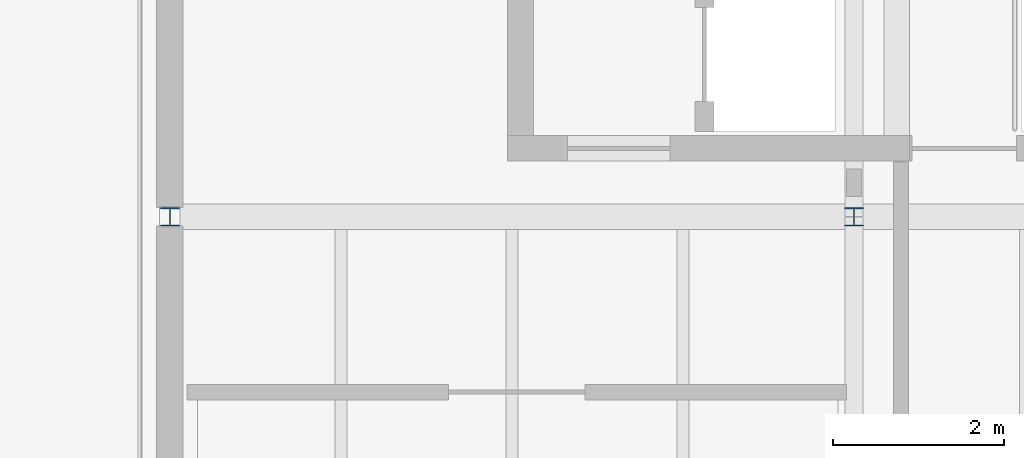
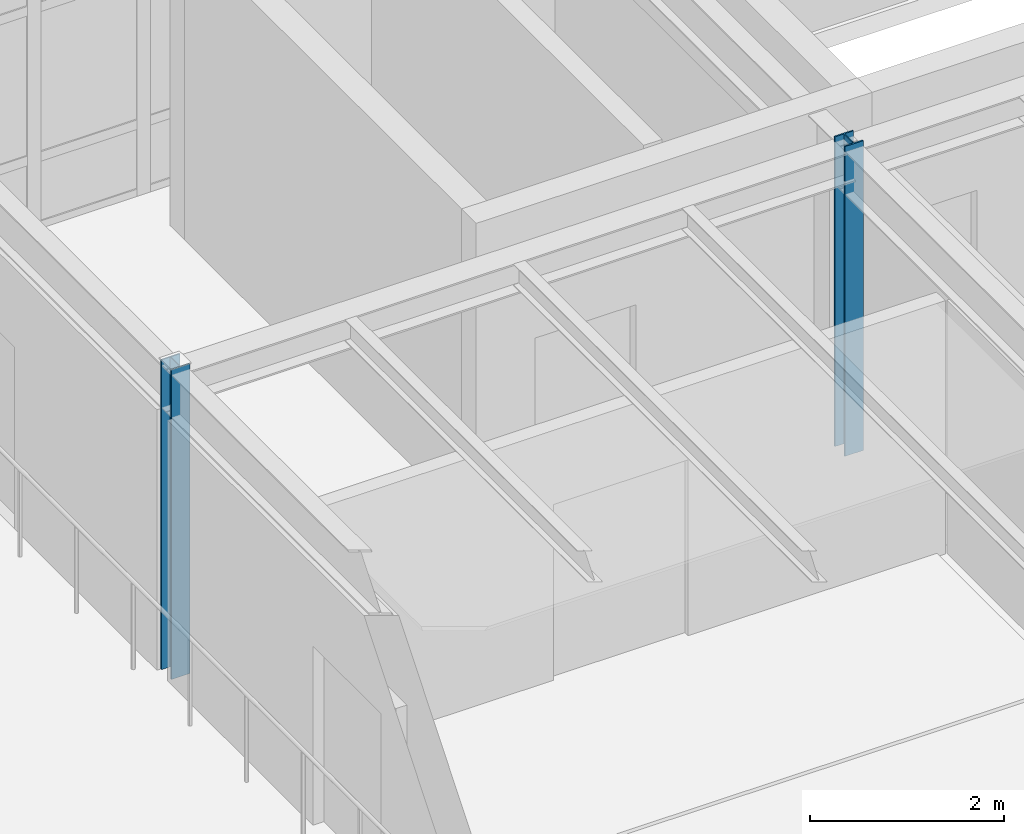
# One storey, part 9 of 65: 2 columns.
"""IFC4 building model written with IfcOpenShell, lengths in metres."""

from ifc_helpers import new_model, si_unit, direction, frame, origin, origin_2d, place, context, subcontext, project, spatial, i_section, extrude, material, material_profile, profile_set, type_object, element, save


model = new_model("IFC4")

# Units and contexts
model_context = context("Model", 3, precision=1e-05, world=origin(), true_north=direction((0.0, 1.0)))
body_context = subcontext(model_context, "Body", "Model", "MODEL_VIEW")
ifc_project = project(units=[si_unit("LENGTHUNIT", "METRE"), si_unit("AREAUNIT", "SQUARE_METRE"), si_unit("VOLUMEUNIT", "CUBIC_METRE"), si_unit("PLANEANGLEUNIT", "RADIAN"), si_unit("MASSUNIT", "GRAM", prefix="KILO")], contexts=[model_context])

# Site, building, storey
site_placement = place(None, origin())
site = spatial("IfcSite", under=ifc_project, at=site_placement, CompositionType="ELEMENT")
building_placement = place(site_placement, origin())
building = spatial("IfcBuilding", under=site, at=building_placement, Name="Montecoro Central Library", CompositionType="ELEMENT")
storey_placement = place(building_placement, frame((0.0, 0.0, 17.340087890625)))
storey = spatial("IfcBuildingStorey", under=building, at=storey_placement, Name="L04", CompositionType="ELEMENT", Elevation=17.340087890625)

# Columns
ifc_material = material(Name="Steel S355", Category="steel")
ifc_material_profile = material_profile(ifc_material, i_section(OverallWidth=0.219970703125, OverallDepth=0.219970703125, WebThickness=0.009521484375, FlangeThickness=0.01611328125, at=origin_2d()), Name="HEB 220")
ifc_profile_set = profile_set([ifc_material_profile], Name="Steel S355")
column_type = type_object("IfcColumnType", Name="COL-HEB220", PredefinedType="COLUMN", material=ifc_profile_set)
for number, where, z_axis, x_axis, name in (
    (1, (149.0, 35.39990234375, 0.0), (0.0, 0.0, 1.0), (1.0, 0.0, 0.0), "V6-L04-COL-19-E"),
    (2, (157.0, 35.39990234375, 0.0), (0.0, 0.0, 1.0), (1.0, 0.0, 0.0), "V6-L04-COL-20-E"),
):
    element("IfcColumn", number, at=place(storey_placement, frame(where, z_axis=z_axis, x_axis=x_axis)), inside=storey, type_object=column_type, Name=name, PredefinedType="COLUMN", context=body_context, shape_type="SweptSolid", body=[
        extrude(i_section(OverallWidth=0.219970703125, OverallDepth=0.219970703125, WebThickness=0.009521484375, FlangeThickness=0.01611328125, at=origin_2d()), origin(), (0.0, 0.0, 1.0), 3.889892578125),
    ])

save(model, "model.ifc")
